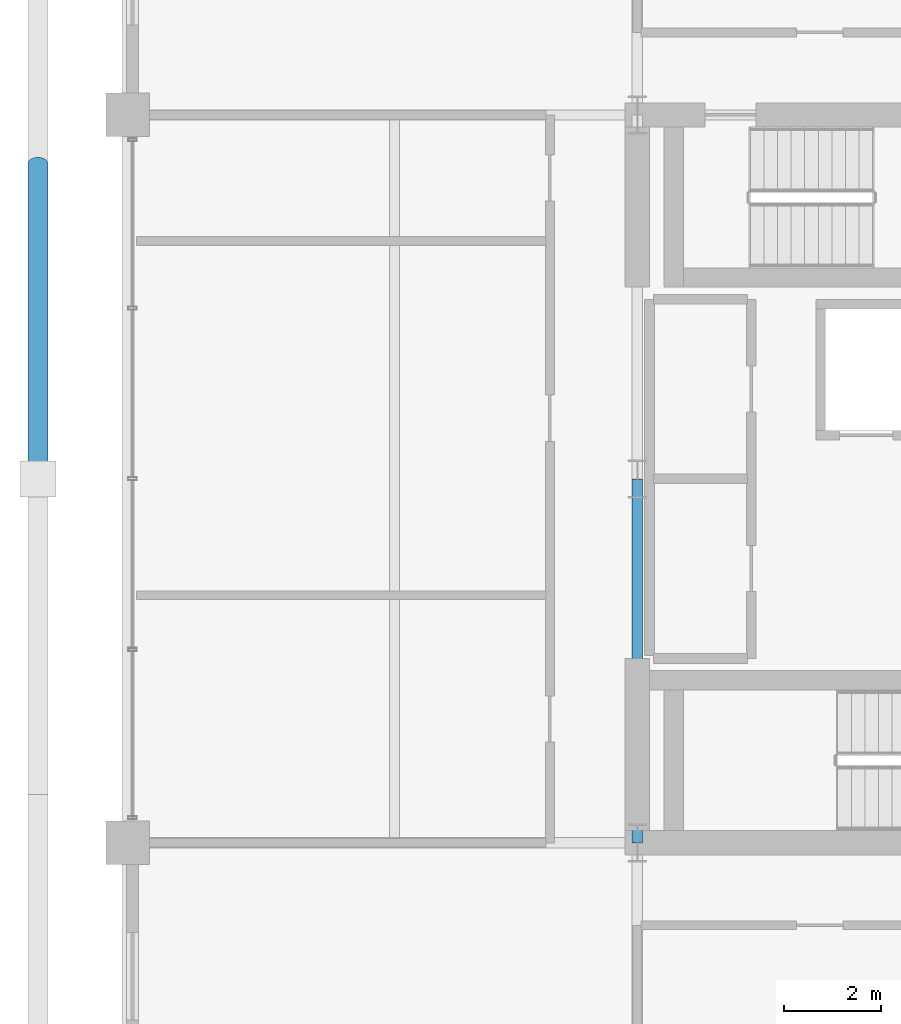
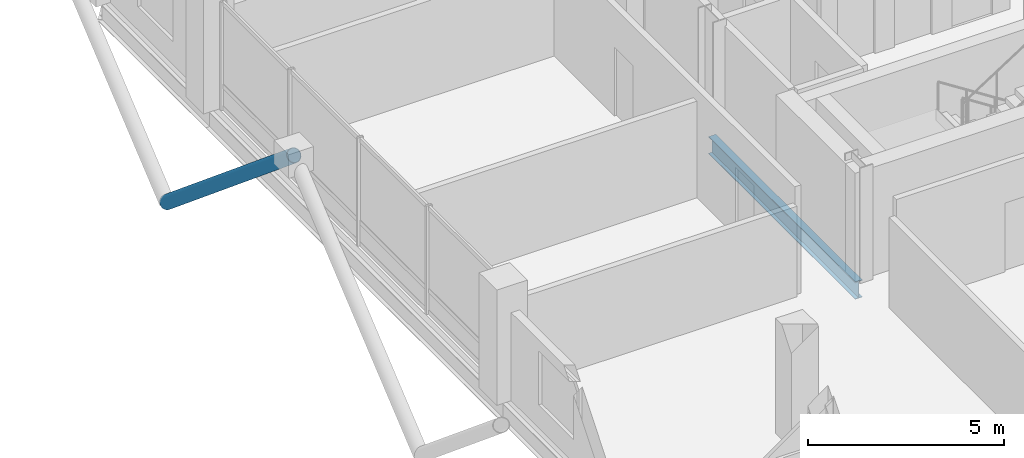
# One storey, part 8 of 22: 1 beam, 1 member.
"""IFC4 building model written with IfcOpenShell, lengths in metres."""

from ifc_helpers import new_model, si_unit, direction, frame, origin, origin_2d, place, context, subcontext, project, spatial, hollow_circle, i_section, extrude, material, material_profile, profile_set, type_object, element, save


model = new_model("IFC4")

# Units and contexts
model_context = context("Model", 3, precision=1e-05, world=origin(), true_north=direction((0.0, 1.0)))
body_context = subcontext(model_context, "Body", "Model", "MODEL_VIEW")
ifc_project = project(units=[si_unit("LENGTHUNIT", "METRE"), si_unit("AREAUNIT", "SQUARE_METRE"), si_unit("VOLUMEUNIT", "CUBIC_METRE"), si_unit("PLANEANGLEUNIT", "RADIAN"), si_unit("MASSUNIT", "GRAM", prefix="KILO")], contexts=[model_context])

# Site, building, storey
site_placement = place(None, origin())
site = spatial("IfcSite", under=ifc_project, at=site_placement, CompositionType="ELEMENT")
building_placement = place(site_placement, origin())
building = spatial("IfcBuilding", under=site, at=building_placement, Name="Barlavira Tower and Art Museum", CompositionType="ELEMENT")
storey_placement = place(building_placement, frame((0.0, 0.0, 258.300048828125)))
storey = spatial("IfcBuildingStorey", under=building, at=storey_placement, Name="L67", CompositionType="ELEMENT", Elevation=258.300048828125)

# Member
ifc_material = material(Name="Steel S355", Category="steel")
ifc_material_profile_1 = material_profile(ifc_material, hollow_circle(Radius=0.203125, WallThickness=0.01611328125, at=origin_2d()), Name="CHS 406.4x16.0")
ifc_profile_set_1 = profile_set([ifc_material_profile_1], Name="Steel S355")
member_type = type_object("IfcMemberType", Name="Pale-Metal Exoskeleton Diagrid Tube CHS 406x16 Steel S355", PredefinedType="BRACE", material=ifc_profile_set_1)
member_placement = place(storey_placement, frame((-18.85009765625, 6.5, -1.920166015625), z_axis=(0.0, -0.76918185268, 0.639029950399), x_axis=(1.0, 0.0, 0.0)))
element("IfcMember", 1, at=member_placement, inside=storey, type_object=member_type, Name="L67 Exoskeleton Diagrid Tube W", PredefinedType="BRACE", context=body_context, shape_type="SweptSolid", body=[
    extrude(hollow_circle(Radius=0.203125, WallThickness=0.01611328125, at=origin_2d()), origin(), (0.0, 0.0, 1.0), 8.450439453125),
])

# Beam
ifc_material_profile_2 = material_profile(ifc_material, i_section(OverallWidth=0.2109375, OverallDepth=0.5390625, WebThickness=0.01171875, FlangeThickness=0.018798828125, at=origin_2d()), Name="W530x109.0")
ifc_profile_set_2 = profile_set([ifc_material_profile_2], Name="Steel S355")
beam_type = type_object("IfcBeamType", Name="Zone 3-4 Primary Floor Girder W530x109 Steel S355", PredefinedType="BEAM", material=ifc_profile_set_2)
beam_placement = place(storey_placement, frame((-6.5, -7.5, -0.489501953125), z_axis=(0.0, 1.0, 0.0), x_axis=(-1.0, 0.0, 0.0)))
element("IfcBeam", 2, at=beam_placement, inside=storey, type_object=beam_type, Name="L67 Girder C-W1", PredefinedType="BEAM", context=body_context, shape_type="SweptSolid", body=[
    extrude(i_section(OverallWidth=0.2109375, OverallDepth=0.5390625, WebThickness=0.01171875, FlangeThickness=0.018798828125, at=origin_2d()), origin(), (0.0, 0.0, 1.0), 7.5),
])

save(model, "model.ifc")
